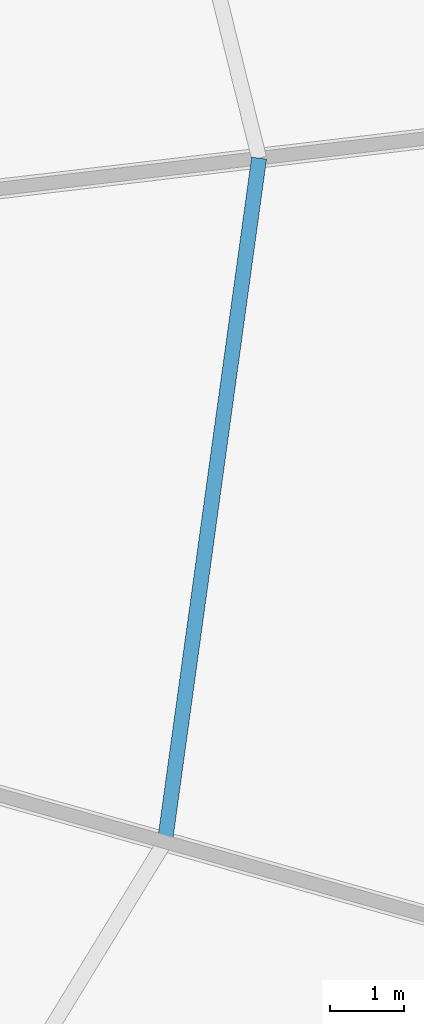
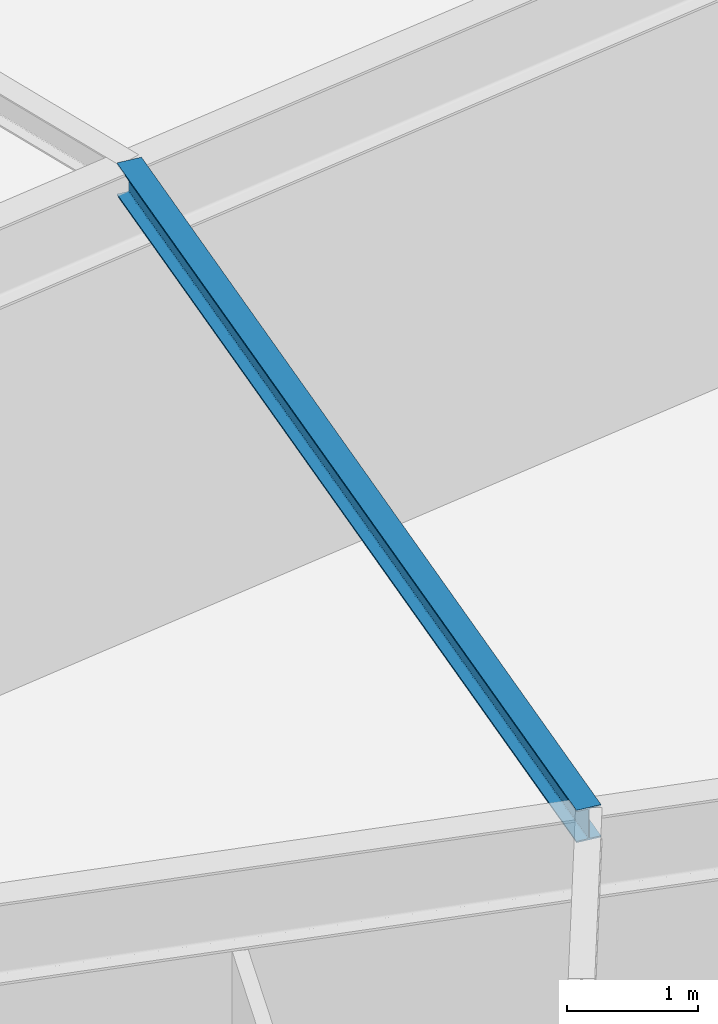
# One storey, part 11 of 22: 1 beam.
"""IFC4 building model written with IfcOpenShell, lengths in metres."""

from ifc_helpers import new_model, si_unit, direction, frame, origin, origin_2d, place, context, subcontext, project, spatial, i_section, extrude, material, material_profile, profile_set, type_object, element, save


model = new_model("IFC4")

# Units and contexts
model_context = context("Model", 3, precision=1e-05, world=origin(), true_north=direction((0.0, 1.0)))
body_context = subcontext(model_context, "Body", "Model", "MODEL_VIEW")
ifc_project = project(units=[si_unit("LENGTHUNIT", "METRE"), si_unit("AREAUNIT", "SQUARE_METRE"), si_unit("VOLUMEUNIT", "CUBIC_METRE"), si_unit("PLANEANGLEUNIT", "RADIAN"), si_unit("MASSUNIT", "GRAM", prefix="KILO")], contexts=[model_context])

# Site, building, storey
site_placement = place(None, origin())
site = spatial("IfcSite", under=ifc_project, at=site_placement, CompositionType="ELEMENT")
building_placement = place(site_placement, origin())
building = spatial("IfcBuilding", under=site, at=building_placement, Name="Kazma Halo Residences", CompositionType="ELEMENT")
storey_placement = place(building_placement, frame((0.0, 0.0, 16.800048828125)))
storey = spatial("IfcBuildingStorey", under=building, at=storey_placement, Name="L03", CompositionType="ELEMENT", Elevation=16.800048828125)

# Beam
ifc_material = material(Name="Steel S355", Category="steel")
ifc_material_profile = material_profile(ifc_material, i_section(OverallWidth=0.202880859375, OverallDepth=0.302978515625, WebThickness=0.007568359375, FlangeThickness=0.01318359375, FilletRadius=0.013916015625, at=origin_2d()), Name="W310x60")
ifc_profile_set = profile_set([ifc_material_profile], Name="Steel S355")
beam_type = type_object("IfcBeamType", Name="BM-SEC-W310A", PredefinedType="JOIST", material=ifc_profile_set)
beam_placement = place(storey_placement, frame((70.670654296875, 35.606201171875, 4.24853515625), z_axis=(0.136476861279, 0.990643258865, 0.0), x_axis=(-0.990643258865, 0.136476861279, 0.0)))
element("IfcBeam", 1, at=beam_placement, inside=storey, type_object=beam_type, Name="L03 circumferential floor joist 15", PredefinedType="JOIST", context=body_context, shape_type="SweptSolid", body=[
    extrude(i_section(OverallWidth=0.202880859375, OverallDepth=0.302978515625, WebThickness=0.007568359375, FlangeThickness=0.01318359375, FilletRadius=0.013916015625, at=origin_2d()), origin(), (0.0, 0.0, 1.0), 9.314697265625),
])

save(model, "model.ifc")
